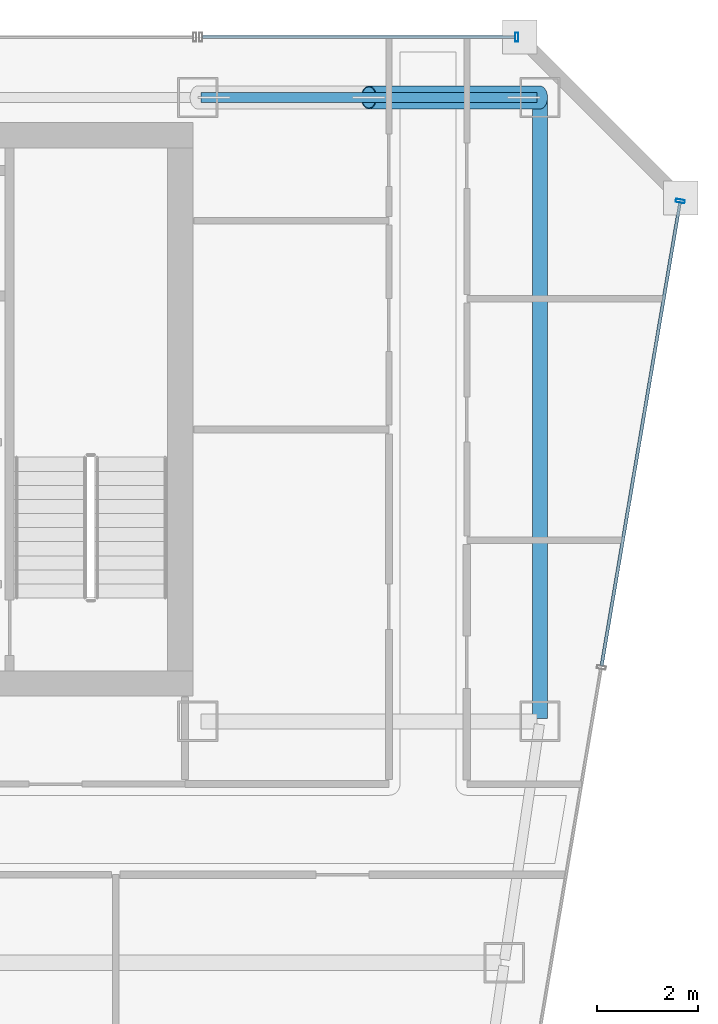
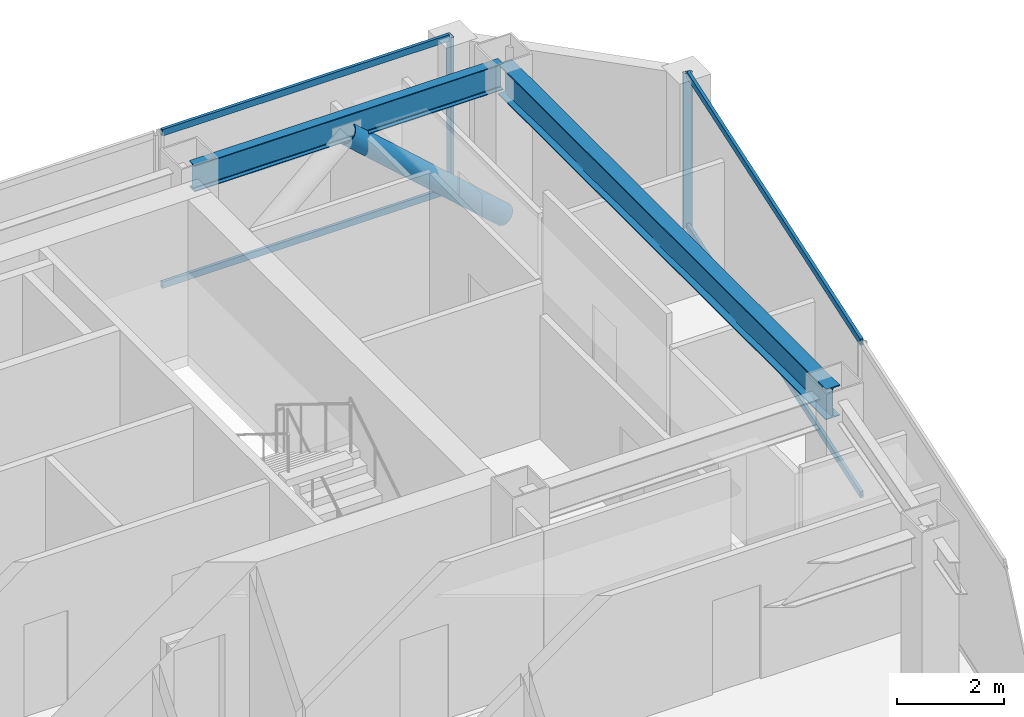
# One storey, part 27 of 36: 7 members, 2 beams, 2 elements without a shape of their own.
"""IFC4 building model written with IfcOpenShell, lengths in metres."""

from ifc_helpers import new_model, si_unit, direction, frame, origin, origin_2d, place, context, subcontext, project, spatial, hollow_rectangle, hollow_circle, i_section, extrude, material, material_profile, profile_set, type_object, element, aggregate, save


model = new_model("IFC4")

# Units and contexts
model_context = context("Model", 3, precision=1e-05, world=origin(), true_north=direction((0.0, 1.0)))
body_context = subcontext(model_context, "Body", "Model", "MODEL_VIEW")
ifc_project = project(units=[si_unit("LENGTHUNIT", "METRE"), si_unit("AREAUNIT", "SQUARE_METRE"), si_unit("VOLUMEUNIT", "CUBIC_METRE"), si_unit("PLANEANGLEUNIT", "RADIAN"), si_unit("MASSUNIT", "GRAM", prefix="KILO")], contexts=[model_context])

# Site, building, storey
site_placement = place(None, origin())
site = spatial("IfcSite", under=ifc_project, at=site_placement, CompositionType="ELEMENT")
building_placement = place(site_placement, origin())
building = spatial("IfcBuilding", under=site, at=building_placement, Name="Saevonmaru Cultural Tower", CompositionType="ELEMENT")
storey_placement = place(building_placement, frame((0.0, 0.0, 198.0)))
storey = spatial("IfcBuildingStorey", under=building, at=storey_placement, Name="L45", CompositionType="ELEMENT", Elevation=198.0)

# Beams
ifc_material_1 = material(Name="Steel SM355", Category="steel")
ifc_material_profile_1 = material_profile(ifc_material_1, i_section(OverallWidth=0.300048828125, OverallDepth=0.699951171875, WebThickness=0.012939453125, FlangeThickness=0.02392578125, FilletRadius=0.02587890625, at=origin_2d()), Name="H-700x300x13x24")
ifc_profile_set_1 = profile_set([ifc_material_profile_1], Name="Steel SM355")
beam_type_1 = type_object("IfcBeamType", Name="BM-G-H700", PredefinedType="BEAM", material=ifc_profile_set_1)
beam_1_placement = place(storey_placement, frame((53.199951171875, 54.739990234375, 3.199951171875), z_axis=(0.0, -1.0, 0.0), x_axis=(1.0, 0.0, 0.0)))
element("IfcBeam", 1, at=beam_1_placement, inside=storey, type_object=beam_type_1, Name="L45 Spine Transverse Girder E", PredefinedType="BEAM", context=body_context, shape_type="SweptSolid", body=[
    extrude(i_section(OverallWidth=0.300048828125, OverallDepth=0.699951171875, WebThickness=0.012939453125, FlangeThickness=0.02392578125, FilletRadius=0.02587890625, at=origin_2d()), origin(), (0.0, 0.0, 1.0), 12.280029296875),
])
ifc_material_profile_2 = material_profile(ifc_material_1, i_section(OverallWidth=0.199951171875, OverallDepth=0.60009765625, WebThickness=0.010986328125, FlangeThickness=0.01708984375, FilletRadius=0.02197265625, at=origin_2d()), Name="H-600x200x11x17")
ifc_profile_set_2 = profile_set([ifc_material_profile_2], Name="Steel SM355")
beam_type_2 = type_object("IfcBeamType", Name="BM-SP-H600", PredefinedType="SPANDREL", material=ifc_profile_set_2)
beam_2_placement = place(storey_placement, frame((46.4599609375, 54.800048828125, 3.25), z_axis=(1.0, 0.0, 0.0), x_axis=(0.0, 1.0, 0.0)))
element("IfcBeam", 2, at=beam_2_placement, inside=storey, type_object=beam_type_2, Name="L45 North Spine Girder 5", PredefinedType="SPANDREL", context=body_context, shape_type="SweptSolid", body=[
    extrude(i_section(OverallWidth=0.199951171875, OverallDepth=0.60009765625, WebThickness=0.010986328125, FlangeThickness=0.01708984375, FilletRadius=0.02197265625, at=origin_2d()), origin(), (0.0, 0.0, 1.0), 6.679931640625),
])

# Member
ifc_material_2 = material(Name="Steel SM420", Category="steel")
ifc_material_profile_3 = material_profile(ifc_material_2, hollow_circle(Radius=0.228515625, WallThickness=0.02001953125, at=origin_2d()), Name="CHS-457.2x20")
ifc_profile_set_3 = profile_set([ifc_material_profile_3], Name="Steel SM420")
member_type_1 = type_object("IfcMemberType", Name="MB-PBR-CHS457", PredefinedType="BRACE", material=ifc_profile_set_3)
member_1_placement = place(storey_placement, frame((53.199951171875, 54.800048828125, 0.02001953125), z_axis=(-0.744366945704, 0.0, 0.667770806597), x_axis=(0.0, -1.0, 0.0)))
element("IfcMember", 3, at=member_1_placement, inside=storey, type_object=member_type_1, Name="L45 Perimeter Braced-Tube Diagonal EN2", PredefinedType="BRACE", context=body_context, shape_type="SweptSolid", body=[
    extrude(hollow_circle(Radius=0.228515625, WallThickness=0.02001953125, at=origin_2d()), origin(), (0.0, 0.0, 1.0), 4.567626953125),
])

# Curtain wall, member
ifc_material_3 = material(Name="Satin Bronze Anodised Aluminium", Category="aluminium")
curtain_wall_type = type_object("IfcCurtainWallType", Name="CW-TYP-B", PredefinedType="NOTDEFINED", material=ifc_material_3)
curtain_wall_1_placement = place(storey_placement, origin())
curtain_wall_1 = element("IfcCurtainWall", 4, at=curtain_wall_1_placement, inside=storey, type_object=curtain_wall_type, Name="L45 Unitised Curtain Wall E8", PredefinedType="NOTDEFINED")
ifc_material_profile_4 = material_profile(ifc_material_3, hollow_rectangle(XDim=0.06494140625, YDim=0.179931640625, WallThickness=0.00390625, at=origin_2d()), Name="ALU-MULL-180x65x4")
ifc_profile_set_4 = profile_set([ifc_material_profile_4], Name="Satin Bronze Anodised Aluminium")
member_type_2 = type_object("IfcMemberType", Name="ML-CW-180x65", PredefinedType="MULLION", material=ifc_profile_set_4)
member_2_placement = place(storey_placement, frame((55.989990234375, 52.74072265625, 0.0), z_axis=(0.0, 0.0, 1.0), x_axis=(0.16692169721, 0.985970155228, 0.0)))
member_2 = element("IfcMember", 5, at=member_2_placement, type_object=member_type_2, Name="CW-TW-L45-E8 mullion 5", PredefinedType="MULLION", context=body_context, shape_type="SweptSolid", body=[
    extrude(hollow_rectangle(XDim=0.06494140625, YDim=0.179931640625, WallThickness=0.00390625, at=origin_2d()), origin(), (0.0, 0.0, 1.0), 3.550048828125),
])

curtain_wall_2_placement = place(storey_placement, origin())
curtain_wall_2 = element("IfcCurtainWall", 6, at=curtain_wall_2_placement, inside=storey, type_object=curtain_wall_type, Name="L45 East Braced Bay Spandrel Curtain Wall E10A", PredefinedType="NOTDEFINED")
member_3_placement = place(storey_placement, frame((52.739990234375, 56.0, 0.0), z_axis=(0.0, 0.0, 1.0), x_axis=(-1.0, 0.0, 0.0)))
member_3 = element("IfcMember", 7, at=member_3_placement, type_object=member_type_2, Name="CW-TW-L45-E10A mullion 1", PredefinedType="MULLION", context=body_context, shape_type="SweptSolid", body=[
    extrude(hollow_rectangle(XDim=0.06494140625, YDim=0.179931640625, WallThickness=0.00390625, at=origin_2d()), origin(), (0.0, 0.0, 1.0), 3.550048828125),
])

# Member
ifc_material_profile_5 = material_profile(ifc_material_3, hollow_rectangle(XDim=0.06494140625, YDim=0.14990234375, WallThickness=0.00390625, at=origin_2d()), Name="ALU-TRAN-150x65x4")
ifc_profile_set_5 = profile_set([ifc_material_profile_5], Name="Satin Bronze Anodised Aluminium")
member_type_3 = type_object("IfcMemberType", Name="TR-CW-150x65", PredefinedType="USERDEFINED", material=ifc_profile_set_5)
member_4_placement = place(storey_placement, frame((54.426025390625, 43.50244140625, 0.032470703125), z_axis=(0.166921263871, 0.985970228591, 0.0), x_axis=(-0.985970228591, 0.166921263871, 0.0)))
member_4 = element("IfcMember", 8, at=member_4_placement, type_object=member_type_3, Name="CW-TW-L45-E8 transom 4.1", ObjectType="TRANSOM", PredefinedType="USERDEFINED", context=body_context, shape_type="SweptSolid", body=[
    extrude(hollow_rectangle(XDim=0.06494140625, YDim=0.14990234375, WallThickness=0.00390625, at=origin_2d()), origin(), (0.0, 0.0, 1.0), 9.33740234375),
])

member_5_placement = place(storey_placement, frame((54.426025390625, 43.50244140625, 3.517578125), z_axis=(0.166921263871, 0.985970228591, 0.0), x_axis=(-0.985970228591, 0.166921263871, 0.0)))
member_5 = element("IfcMember", 9, at=member_5_placement, type_object=member_type_3, Name="CW-TW-L45-E8 transom 4.2", ObjectType="TRANSOM", PredefinedType="USERDEFINED", context=body_context, shape_type="SweptSolid", body=[
    extrude(hollow_rectangle(XDim=0.06494140625, YDim=0.14990234375, WallThickness=0.00390625, at=origin_2d()), origin(), (0.0, 0.0, 1.0), 9.33740234375),
])

aggregate(curtain_wall_1, [member_2, member_4, member_5])

member_6_placement = place(storey_placement, frame((52.70751953125, 56.0, 0.032470703125), z_axis=(-1.0, 0.0, 0.0), x_axis=(0.0, -1.0, 0.0)))
member_6 = element("IfcMember", 10, at=member_6_placement, type_object=member_type_3, Name="CW-TW-L45-E10A transom 1.1", ObjectType="TRANSOM", PredefinedType="USERDEFINED", context=body_context, shape_type="SweptSolid", body=[
    extrude(hollow_rectangle(XDim=0.06494140625, YDim=0.14990234375, WallThickness=0.00390625, at=origin_2d()), origin(), (0.0, 0.0, 1.0), 6.215087890625),
])

member_7_placement = place(storey_placement, frame((52.70751953125, 56.0, 3.517578125), z_axis=(-1.0, 0.0, 0.0), x_axis=(0.0, -1.0, 0.0)))
member_7 = element("IfcMember", 11, at=member_7_placement, type_object=member_type_3, Name="CW-TW-L45-E10A transom 1.2", ObjectType="TRANSOM", PredefinedType="USERDEFINED", context=body_context, shape_type="SweptSolid", body=[
    extrude(hollow_rectangle(XDim=0.06494140625, YDim=0.14990234375, WallThickness=0.00390625, at=origin_2d()), origin(), (0.0, 0.0, 1.0), 6.215087890625),
])

aggregate(curtain_wall_2, [member_3, member_6, member_7])

save(model, "model.ifc")
